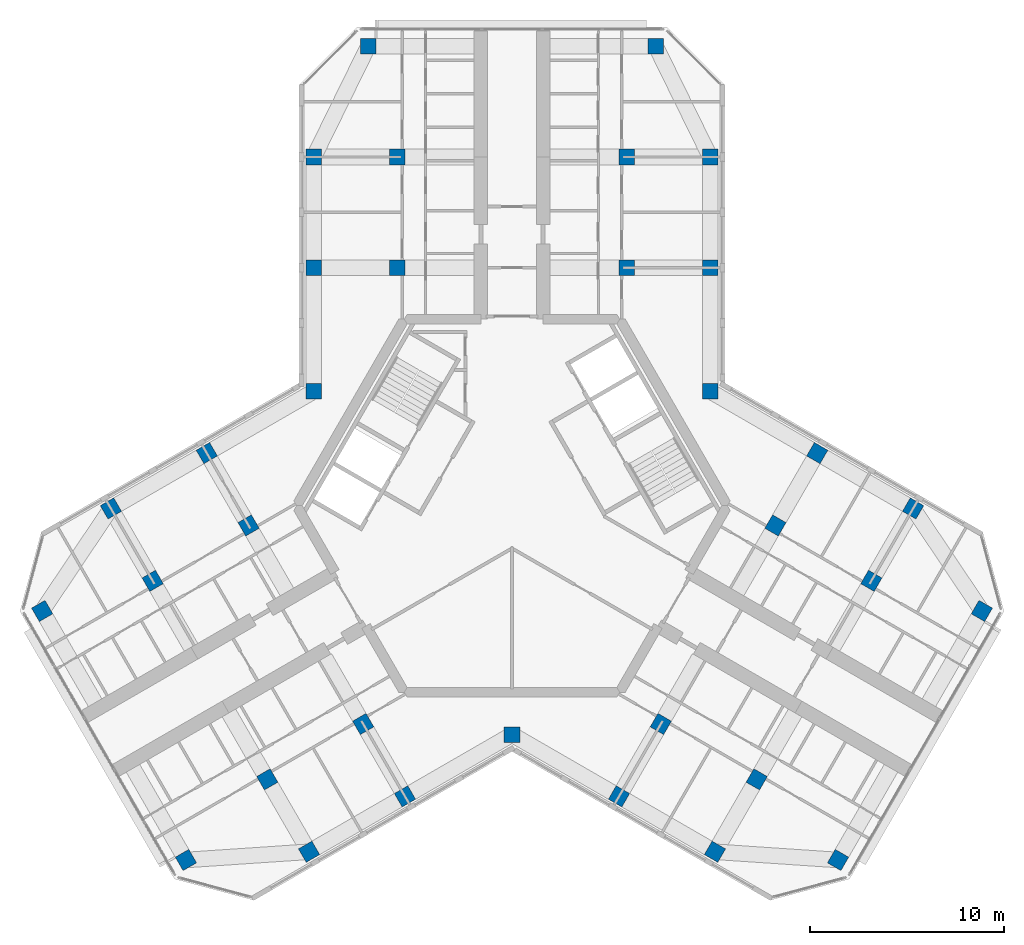
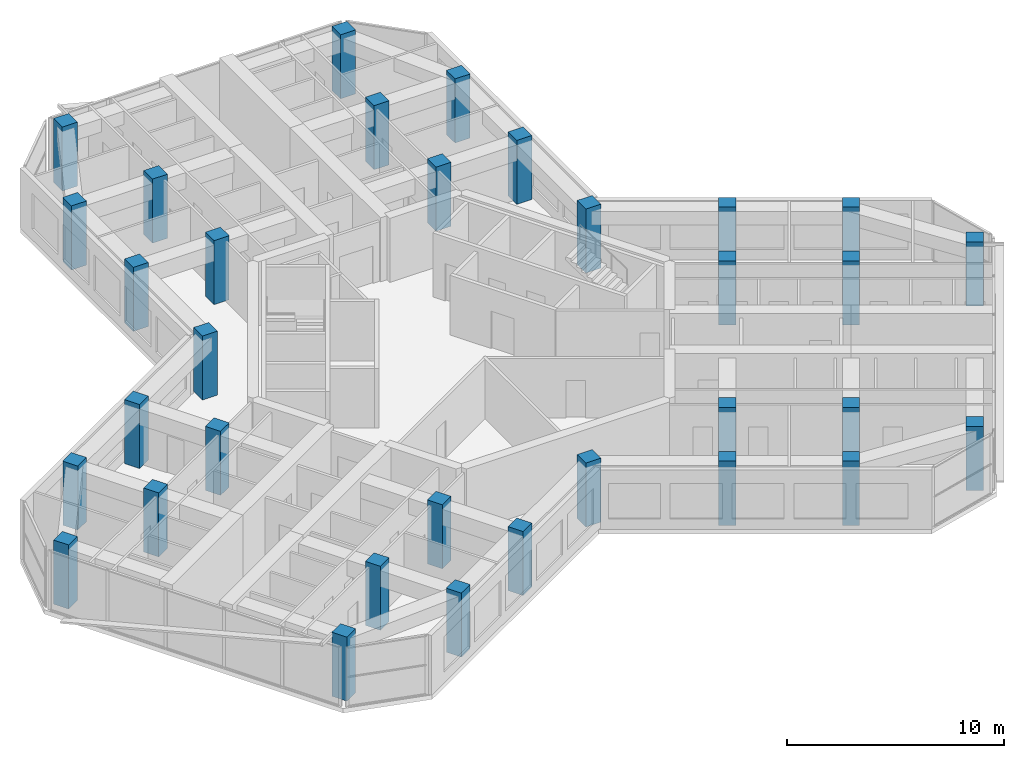
# One storey, part 1 of 14: 33 columns.
"""IFC4 building model written with IfcOpenShell, lengths in metres."""

from ifc_helpers import new_model, si_unit, direction, frame, origin, origin_2d, place, context, subcontext, project, spatial, rectangle, extrude, material, material_profile, profile_set, type_object, element, save


model = new_model("IFC4")

# Units and contexts
model_context = context("Model", 3, precision=1e-05, world=origin(), true_north=direction((0.0, 1.0)))
body_context = subcontext(model_context, "Body", "Model", "MODEL_VIEW")
ifc_project = project(units=[si_unit("LENGTHUNIT", "METRE"), si_unit("AREAUNIT", "SQUARE_METRE"), si_unit("VOLUMEUNIT", "CUBIC_METRE"), si_unit("PLANEANGLEUNIT", "RADIAN"), si_unit("MASSUNIT", "GRAM", prefix="KILO")], contexts=[model_context])

# Site, building, storey
site_placement = place(None, origin())
site = spatial("IfcSite", under=ifc_project, at=site_placement, CompositionType="ELEMENT")
building_placement = place(site_placement, origin())
building = spatial("IfcBuilding", under=site, at=building_placement, Name="Kosmar Iwan School Tower", CompositionType="ELEMENT")
storey_placement = place(building_placement, frame((0.0, 0.0, 285.39990234375)))
storey = spatial("IfcBuildingStorey", under=building, at=storey_placement, Name="L72", CompositionType="ELEMENT", Elevation=285.39990234375)

# Columns
ifc_material_1 = material(Name="Concrete C50/60", Category="concrete")
ifc_material_profile_1 = material_profile(ifc_material_1, rectangle(XDim=0.800048828125, YDim=0.800048828125, at=origin_2d()), Name="RC 800x800 + HE 300 M")
ifc_profile_set_1 = profile_set([ifc_material_profile_1], Name="Concrete C50/60")
column_type_1 = type_object("IfcColumnType", Name="Composite column 800x800 HE 300 M", PredefinedType="COLUMN", material=ifc_profile_set_1)
for number, where, z_axis, x_axis, name in (
    (1, (-10.199951171875, 12.25, 0.0), (0.0, 0.0, 1.0), (0.0, 1.0, 0.0), "Column AL1 L72"),
    (2, (-10.199951171875, 17.949951171875, 0.0), (0.0, 0.0, 1.0), (0.0, 1.0, 0.0), "Column AL2 L72"),
    (3, (-7.39990234375, 23.64990234375, 0.0), (0.0, 0.0, 1.0), (0.0, 1.0, 0.0), "Column ALTIP L72"),
    (4, (10.199951171875, 12.25, 0.0), (0.0, 0.0, 1.0), (0.0, 1.0, 0.0), "Column AR1 L72"),
    (5, (10.199951171875, 17.949951171875, 0.0), (0.0, 0.0, 1.0), (0.0, 1.0, 0.0), "Column AR2 L72"),
    (6, (7.39990234375, 23.64990234375, 0.0), (0.0, 0.0, 1.0), (0.0, 1.0, 0.0), "Column ARTIP L72"),
    (7, (-5.5087890625, -14.95849609375, 0.0), (0.0, 0.0, 1.0), (-0.866025403784, -0.5, 0.0), "Column BL1 L72"),
    (8, (-10.445068359375, -17.808349609375, 0.0), (0.0, 0.0, 1.0), (-0.866025403784, -0.5, 0.0), "Column BL2 L72"),
    (9, (-16.781494140625, -18.233642578125, 0.0), (0.0, 0.0, 1.0), (-0.866025403784, -0.5, 0.0), "Column BLTIP L72"),
    (10, (-15.708740234375, 2.70849609375, 0.0), (0.0, 0.0, 1.0), (-0.866025403784, -0.5, 0.0), "Column BR1 L72"),
    (11, (-20.645263671875, -0.1416015625, 0.0), (0.0, 0.0, 1.0), (-0.866025403784, -0.5, 0.0), "Column BR2 L72"),
    (12, (-24.181396484375, -5.41650390625, 0.0), (0.0, 0.0, 1.0), (-0.866025403784, -0.5, 0.0), "Column BRTIP L72"),
    (13, (15.708740234375, 2.70849609375, 0.0), (0.0, 0.0, 1.0), (0.866025403784, -0.5, 0.0), "Column CL1 L72"),
    (14, (20.645263671875, -0.1416015625, 0.0), (0.0, 0.0, 1.0), (0.866025403784, -0.5, 0.0), "Column CL2 L72"),
    (15, (24.181396484375, -5.41650390625, 0.0), (0.0, 0.0, 1.0), (0.866025403784, -0.5, 0.0), "Column CLTIP L72"),
    (16, (5.5087890625, -14.95849609375, 0.0), (0.0, 0.0, 1.0), (0.866025403784, -0.5, 0.0), "Column CR1 L72"),
    (17, (10.445068359375, -17.808349609375, 0.0), (0.0, 0.0, 1.0), (0.866025403784, -0.5, 0.0), "Column CR2 L72"),
    (18, (16.781494140625, -18.233642578125, 0.0), (0.0, 0.0, 1.0), (0.866025403784, -0.5, 0.0), "Column CRTIP L72"),
    (19, (-10.199951171875, 5.888916015625, 0.0), (0.0, 0.0, 1.0), (1.0, 0.0, 0.0), "Column RAB L72"),
    (20, (10.199951171875, 5.888916015625, 0.0), (0.0, 0.0, 1.0), (1.0, 0.0, 0.0), "Column RAC L72"),
    (21, (0.0, -11.77783203125, 0.0), (0.0, 0.0, 1.0), (1.0, 0.0, 0.0), "Column RBC L72"),
):
    element("IfcColumn", number, at=place(storey_placement, frame(where, z_axis=z_axis, x_axis=x_axis)), inside=storey, type_object=column_type_1, Name=name, PredefinedType="COLUMN", context=body_context, shape_type="SweptSolid", body=[
        extrude(rectangle(XDim=0.800048828125, YDim=0.800048828125, at=origin_2d()), origin(), (0.0, 0.0, 1.0), 3.60009765625),
    ])
ifc_material_2 = material(Name="Concrete C50/60", Category="concrete")
ifc_material_profile_2 = material_profile(ifc_material_2, rectangle(XDim=0.800048828125, YDim=0.800048828125, at=origin_2d()), Name="RC 800x800")
ifc_profile_set_2 = profile_set([ifc_material_profile_2], Name="Concrete C50/60")
column_type_2 = type_object("IfcColumnType", Name="RC interior column 800x800", PredefinedType="COLUMN", material=ifc_profile_set_2)
for number, where, z_axis, x_axis, name in (
    (22, (-5.89990234375, 12.25, 0.0), (0.0, 0.0, 1.0), (0.0, 1.0, 0.0), "Interior column ALI1 L72"),
    (23, (-5.89990234375, 17.949951171875, 0.0), (0.0, 0.0, 1.0), (0.0, 1.0, 0.0), "Interior column ALI2 L72"),
    (24, (5.89990234375, 12.25, 0.0), (0.0, 0.0, 1.0), (0.0, 1.0, 0.0), "Interior column ARI1 L72"),
    (25, (5.89990234375, 17.949951171875, 0.0), (0.0, 0.0, 1.0), (0.0, 1.0, 0.0), "Interior column ARI2 L72"),
    (26, (-7.65869140625, -11.234619140625, 0.0), (0.0, 0.0, 1.0), (-0.866025403784, -0.5, 0.0), "Interior column BLI1 L72"),
    (27, (-12.59521484375, -14.08447265625, 0.0), (0.0, 0.0, 1.0), (-0.866025403784, -0.5, 0.0), "Interior column BLI2 L72"),
    (28, (-13.558837890625, -1.015380859375, 0.0), (0.0, 0.0, 1.0), (-0.866025403784, -0.5, 0.0), "Interior column BRI1 L72"),
    (29, (-18.4951171875, -3.865478515625, 0.0), (0.0, 0.0, 1.0), (-0.866025403784, -0.5, 0.0), "Interior column BRI2 L72"),
    (30, (13.558837890625, -1.015380859375, 0.0), (0.0, 0.0, 1.0), (0.866025403784, -0.5, 0.0), "Interior column CLI1 L72"),
    (31, (18.4951171875, -3.865478515625, 0.0), (0.0, 0.0, 1.0), (0.866025403784, -0.5, 0.0), "Interior column CLI2 L72"),
    (32, (7.65869140625, -11.234619140625, 0.0), (0.0, 0.0, 1.0), (0.866025403784, -0.5, 0.0), "Interior column CRI1 L72"),
    (33, (12.59521484375, -14.08447265625, 0.0), (0.0, 0.0, 1.0), (0.866025403784, -0.5, 0.0), "Interior column CRI2 L72"),
):
    element("IfcColumn", number, at=place(storey_placement, frame(where, z_axis=z_axis, x_axis=x_axis)), inside=storey, type_object=column_type_2, Name=name, PredefinedType="COLUMN", context=body_context, shape_type="SweptSolid", body=[
        extrude(rectangle(XDim=0.800048828125, YDim=0.800048828125, at=origin_2d()), origin(), (0.0, 0.0, 1.0), 3.60009765625),
    ])

save(model, "model.ifc")
